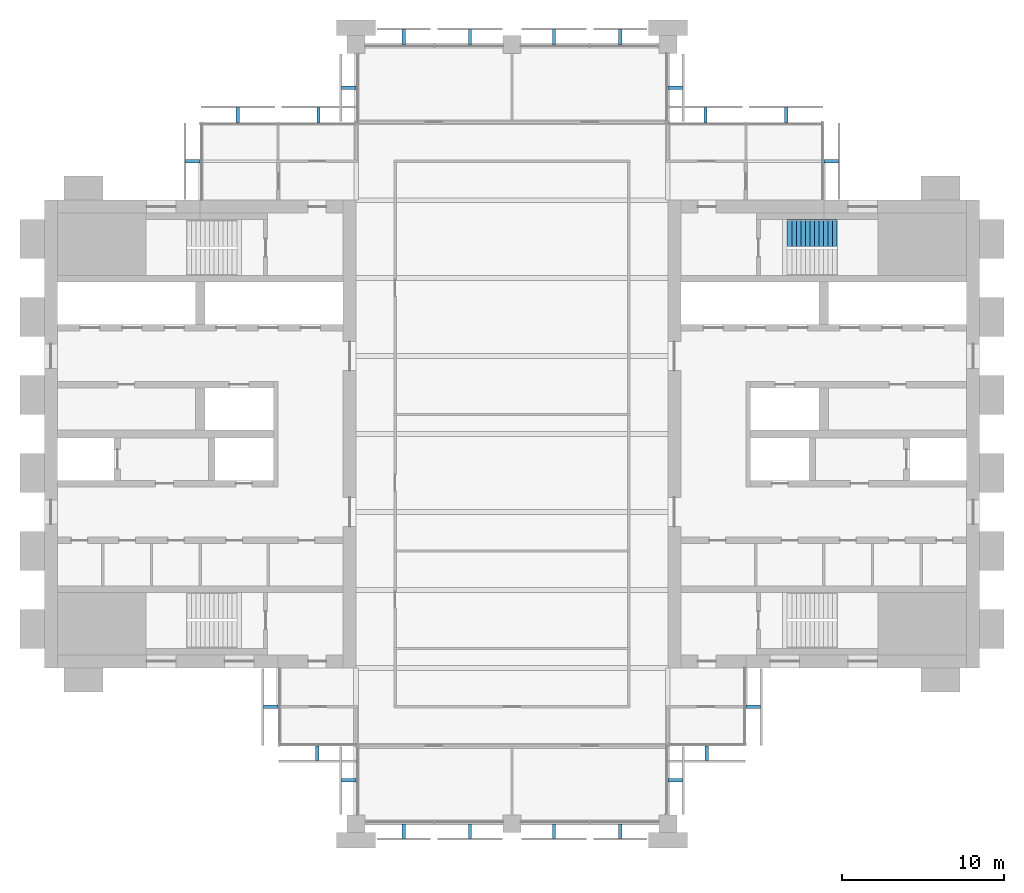
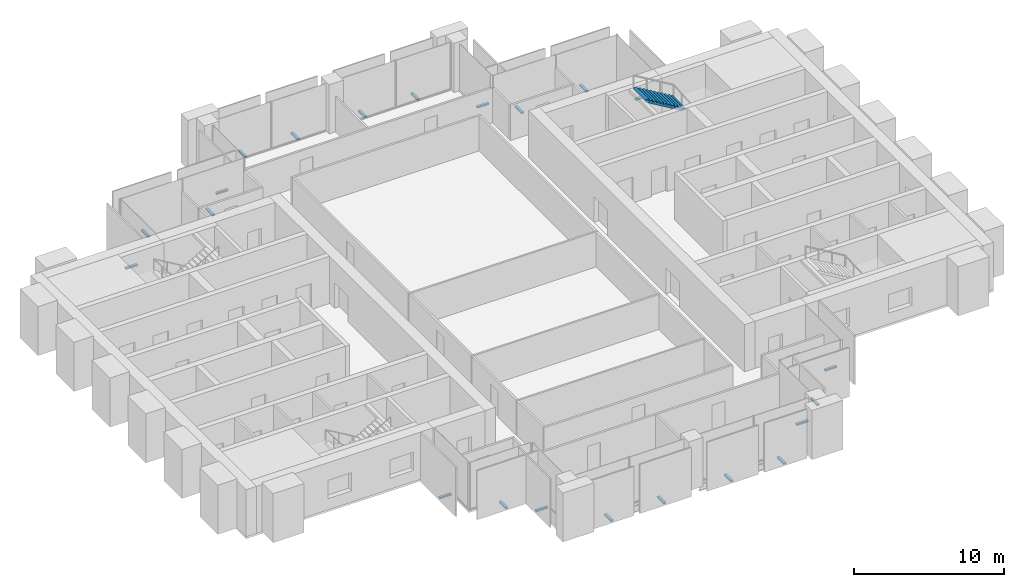
# One storey, part 12 of 13: 22 discrete accessories, 1 stair flight, 1 element without a shape of its own.
"""IFC4 building model written with IfcOpenShell, lengths in metres."""

import ifcopenshell
import ifcopenshell.guid

model = None  # the IFC model being written
_history = None  # IfcOwnerHistory: only IFC2X3 demands one
_inside = {}  # id of a spatial element -> (the spatial element, [elements in it])
_under = {}  # id of a project, library or spatial element -> (it, [spatial elements below it])
_declared = {}  # id of a project -> (the project, [libraries it declares])
_typed = {}  # id of a type object -> (the type object, [elements of that type])
_made_of = {}  # id of a material, layer set ... -> (it, [elements and type objects made of it])


def new_model(schema):
    """Start an empty IFC model of exactly this schema.

    Asked for "IFC4X3", IfcOpenShell would pick the latest addendum, in which some entities
    have other attributes; the version numbers below select the first issue.
    IFC2X3 requires an IfcOwnerHistory on every rooted entity: one is made here for all.
    """
    global model, _history
    if schema == "IFC4X3":
        model = ifcopenshell.file(schema_version=(4, 3, 0, 0))
    else:
        model = ifcopenshell.file(schema=schema)
    _inside.clear()
    _under.clear()
    _declared.clear()
    _typed.clear()
    _made_of.clear()
    _history = None
    if model.schema == "IFC2X3":
        org = make("IfcOrganization", Name="unknown")
        user = make(
            "IfcPersonAndOrganization",
            ThePerson=make("IfcPerson", FamilyName="unknown"),
            TheOrganization=org,
        )
        app = make(
            "IfcApplication",
            ApplicationDeveloper=org,
            Version="unknown",
            ApplicationFullName="unknown",
            ApplicationIdentifier="unknown",
        )
        _history = make(
            "IfcOwnerHistory",
            OwningUser=user,
            OwningApplication=app,
            ChangeAction="ADDED",
            CreationDate=0,
        )
    return model


def make(cls, **values):
    """One entity of the class cls with the attributes given. An attribute that is None is left unset."""
    return model.create_entity(
        cls, **{name: value for name, value in values.items() if value is not None}
    )


def rooted(cls, **values):
    """An entity with a GlobalId (a new one), such as an element, a storey or a relation."""
    return make(cls, GlobalId=ifcopenshell.guid.new(), OwnerHistory=_history, **values)


def si_unit(unit_type, name, prefix=None):
    """IfcSIUnit, for example si_unit("LENGTHUNIT", "METRE", prefix="MILLI")."""
    return make("IfcSIUnit", UnitType=unit_type, Prefix=prefix, Name=name)


def assignment(units):
    """IfcUnitAssignment: the units of a project."""
    return None if units is None else make("IfcUnitAssignment", Units=units)


def point(xyz):
    """IfcCartesianPoint."""
    return None if xyz is None else make("IfcCartesianPoint", Coordinates=xyz)


def direction(xyz):
    """IfcDirection."""
    return None if xyz is None else make("IfcDirection", DirectionRatios=xyz)


def frame(location, z_axis=None, x_axis=None):
    """IfcAxis2Placement3D, a coordinate frame: its origin and axes. An axis left out is left unset."""
    return make(
        "IfcAxis2Placement3D",
        Location=point(location),
        Axis=direction(z_axis),
        RefDirection=direction(x_axis),
    )


def frame_2d(location, x_axis=None):
    """IfcAxis2Placement2D, a coordinate frame in the plane: its origin and x axis."""
    return make(
        "IfcAxis2Placement2D", Location=point(location), RefDirection=direction(x_axis)
    )


def origin():
    """The frame at (0, 0, 0) with its axes left unset."""
    return frame((0.0, 0.0, 0.0))


def origin_2d():
    """The frame at (0, 0) in the plane with its x axis left unset."""
    return frame_2d((0.0, 0.0))


def place(relative_to, where):
    """IfcLocalPlacement: puts the frame where relative to a parent placement (None: the world)."""
    return make(
        "IfcLocalPlacement", PlacementRelTo=relative_to, RelativePlacement=where
    )


def context(
    kind, dimensions, precision=None, world=None, true_north=None, identifier=None
):
    """IfcGeometricRepresentationContext, for example the 3D "Model" context."""
    return make(
        "IfcGeometricRepresentationContext",
        ContextIdentifier=identifier,
        ContextType=kind,
        CoordinateSpaceDimension=dimensions,
        Precision=precision,
        WorldCoordinateSystem=world,
        TrueNorth=true_north,
    )


def subcontext(parent, identifier, kind, view, scale=None):
    """IfcGeometricRepresentationSubContext, for example "Body" below "Model"."""
    return make(
        "IfcGeometricRepresentationSubContext",
        ContextIdentifier=identifier,
        ContextType=kind,
        ParentContext=parent,
        TargetScale=scale,
        TargetView=view,
    )


def project(units=None, contexts=None):
    """IfcProject with its units and contexts."""
    return rooted(
        "IfcProject",
        Name="project",
        RepresentationContexts=contexts,
        UnitsInContext=assignment(units),
    )


def spatial(cls, under=None, at=None, **own):
    """A site, building, storey or space (cls), placed at a placement, below another one or the project."""
    s = rooted(cls, ObjectPlacement=at, **own)
    if under is not None:
        _under.setdefault(under.id(), (under, []))[1].append(s)
    return s


def polyline(points):
    """IfcPolyline through the points."""
    return make("IfcPolyline", Points=[point(p) for p in points])


def profile(cls, at=None, kind="AREA", **sizes):
    """A parametric profile (cls). Its sizes go by their IFC names, for example OverallWidth=200.0."""
    return make(cls, ProfileType=kind, Position=at, **sizes)


def rectangle(**sizes):
    """IfcRectangleProfileDef."""
    return profile("IfcRectangleProfileDef", **sizes)


def outline(outer, holes=None, kind="AREA"):
    """IfcArbitraryClosedProfileDef: a profile drawn as a closed curve; with holes, ...WithVoids."""
    if holes is None:
        return make("IfcArbitraryClosedProfileDef", ProfileType=kind, OuterCurve=outer)
    return make(
        "IfcArbitraryProfileDefWithVoids",
        ProfileType=kind,
        OuterCurve=outer,
        InnerCurves=holes,
    )


def extrude(swept, where, along, depth):
    """IfcExtrudedAreaSolid: the profile swept, set in the frame where, extruded along a direction by depth."""
    return make(
        "IfcExtrudedAreaSolid",
        SweptArea=swept,
        Position=where,
        ExtrudedDirection=direction(along),
        Depth=depth,
    )


def shape(context_of_items, identifier, shape_type, items):
    """IfcShapeRepresentation: the items that make up one representation, for example the "Body"."""
    return make(
        "IfcShapeRepresentation",
        ContextOfItems=context_of_items,
        RepresentationIdentifier=identifier,
        RepresentationType=shape_type,
        Items=items,
    )


def material(Name=None, Category=None):
    """IfcMaterial."""
    return make("IfcMaterial", Name=Name, Category=Category)


def made_of(thing, what):
    """Note that an element or type object is made of a material, layer set ...; save() writes the relation."""
    if what is not None:
        _made_of.setdefault(what.id(), (what, []))[1].append(thing)
    return thing


def type_object(cls, material=None, **own):
    """A type object (cls), such as IfcWallType, which elements share."""
    return made_of(rooted(cls, **own), material)


def element(
    cls,
    number,
    at=None,
    inside=None,
    cuts=None,
    type_object=None,
    material=None,
    context=None,
    identifier="Body",
    shape_type=None,
    held_by="IfcProductDefinitionShape",
    body=None,
    shapes=None,
    **own,
):
    """One element of the class cls, such as IfcWall. Its Tag is "e" and its number.

    at: its placement. inside: the storey or other place that contains it. cuts: it is an
    opening in that element (IfcRelVoidsElement). A single representation is given by context,
    identifier, shape_type and body (its items); several are given by shapes. held_by: the class
    of the entity that holds the representations. save() writes the other relations.
    """
    e = rooted(cls, Tag="e%d" % number, ObjectPlacement=at, **own)
    if body is not None:
        shapes = [shape(context, identifier, shape_type, body)]
    if shapes is not None:
        e.Representation = make(held_by, Representations=shapes)
    if inside is not None:
        _inside.setdefault(inside.id(), (inside, []))[1].append(e)
    if cuts is not None:
        rooted(
            "IfcRelVoidsElement", RelatingBuildingElement=cuts, RelatedOpeningElement=e
        )
    if type_object is not None:
        _typed.setdefault(type_object.id(), (type_object, []))[1].append(e)
    return made_of(e, material)


def aggregate(whole, parts):
    """IfcRelAggregates: a whole, such as a stair, and the parts it consists of."""
    return rooted("IfcRelAggregates", RelatingObject=whole, RelatedObjects=parts)


def save(model, path):
    """Write the relations noted so far, then the file.

    IfcRelAggregates (storeys below a building ...), IfcRelContainedInSpatialStructure (elements
    in a storey), IfcRelDefinesByType, IfcRelAssociatesMaterial and IfcRelDeclares: one each for
    every whole, place, type object, material and project.
    """
    for whole, parts in _under.values():
        aggregate(whole, parts)
    for where, things in _inside.values():
        rooted(
            "IfcRelContainedInSpatialStructure",
            RelatedElements=things,
            RelatingStructure=where,
        )
    for kind, things in _typed.values():
        rooted("IfcRelDefinesByType", RelatedObjects=things, RelatingType=kind)
    for what, things in _made_of.values():
        rooted("IfcRelAssociatesMaterial", RelatedObjects=things, RelatingMaterial=what)
    for by, libraries in _declared.values():
        rooted("IfcRelDeclares", RelatingContext=by, RelatedDefinitions=libraries)
    model.write(path)


model = new_model("IFC4")

# Units and contexts
model_context = context("Model", 3, precision=1e-05, world=origin(), true_north=direction((0.0, 1.0)))
body_context = subcontext(model_context, "Body", "Model", "MODEL_VIEW")
ifc_project = project(units=[si_unit("LENGTHUNIT", "METRE"), si_unit("AREAUNIT", "SQUARE_METRE"), si_unit("VOLUMEUNIT", "CUBIC_METRE"), si_unit("PLANEANGLEUNIT", "RADIAN"), si_unit("MASSUNIT", "GRAM", prefix="KILO")], contexts=[model_context])

# Site, building, storey
site_placement = place(None, origin())
site = spatial("IfcSite", under=ifc_project, at=site_placement, CompositionType="ELEMENT")
building_placement = place(site_placement, origin())
building = spatial("IfcBuilding", under=site, at=building_placement, Name="Baori Bourse Tower", CompositionType="ELEMENT")
storey_placement = place(building_placement, frame((0.0, 0.0, 253.199951171875)))
storey = spatial("IfcBuildingStorey", under=building, at=storey_placement, Name="L56", CompositionType="ELEMENT", Elevation=253.199951171875)

# Stair, stair flight
ifc_material_1 = material(Name="Concrete f'c 50 MPa", Category="concrete")
stair_type = type_object("IfcStairType", Name="Core stair", PredefinedType="HALF_TURN_STAIR", material=ifc_material_1)
stair_placement = place(storey_placement, origin())
stair = element("IfcStair", 1, at=stair_placement, inside=storey, type_object=stair_type, Name="L56 Stair EB", PredefinedType="HALF_TURN_STAIR")
ifc_material_2 = material(Name="Concrete f'c 50 MPa", Category="concrete")
stair_flight_type = type_object("IfcStairFlightType", Name="Core stair flight", PredefinedType="STRAIGHT", material=ifc_material_2)
stair_flight_placement = place(storey_placement, frame((48.830078125, 36.375, 2.0), z_axis=(0.0, 0.0, 1.0), x_axis=(-1.0, 0.0, 0.0)))
stair_flight = element("IfcStairFlight", 2, at=stair_flight_placement, type_object=stair_flight_type, Name="ST4 flight 2", NumberOfRisers=12, NumberOfTreads=11, PredefinedType="STRAIGHT", RiserHeight=0.166666667, TreadLength=0.28, context=body_context, shape_type="SweptSolid", body=[
    extrude(outline(polyline([(0.0, 0.0), (0.0, 0.166748046875), (0.280029296875, 0.166748046875), (0.280029296875, 0.333251953125), (0.56005859375, 0.333251953125), (0.56005859375, 0.5), (0.840087890625, 0.5), (0.840087890625, 0.666748046875), (1.1201171875, 0.666748046875), (1.1201171875, 0.833251953125), (1.39990234375, 0.833251953125), (1.39990234375, 1.0), (1.679931640625, 1.0), (1.679931640625, 1.166748046875), (1.9599609375, 1.166748046875), (1.9599609375, 1.333251953125), (2.239990234375, 1.333251953125), (2.239990234375, 1.5), (2.52001953125, 1.5), (2.52001953125, 1.666748046875), (2.800048828125, 1.666748046875), (2.800048828125, 1.833251953125), (3.080078125, 1.833251953125), (3.080078125, 2.0), (3.080078125, 1.658935546875), (0.29296875, 0.0), (0.0, 0.0)])), frame((0.0, 0.824951171875, 0.0), z_axis=(0.0, -1.0, 0.0), x_axis=(1.0, 0.0, 0.0)), (0.0, 0.0, 1.0), 1.64990234375),
])
aggregate(stair, [stair_flight])

# Discrete accessories
ifc_material_3 = material(Name="Pale anodised aluminium", Category="aluminium")
discrete_accessory_type = type_object("IfcDiscreteAccessoryType", Name="OS2 Outer skin bracket", PredefinedType="BRACKET", material=ifc_material_3)
for number, where, z_axis, x_axis, name in (
    (3, (48.449951171875, 40.800048828125, -0.143798828125), (0.0, 0.0, 1.0), (0.0, 1.0, 0.0), "Outer skin bracket L56 1"),
    (4, (45.6875, 43.64990234375, -0.143798828125), (0.0, 0.0, 1.0), (-1.0, 0.0, 0.0), "Outer skin bracket L56 2"),
    (5, (40.71240234375, 43.64990234375, -0.143798828125), (0.0, 0.0, 1.0), (-1.0, 0.0, 0.0), "Outer skin bracket L56 3"),
    (6, (38.85009765625, 45.324951171875, -0.143798828125), (0.0, 0.0, 1.0), (0.0, 1.0, 0.0), "Outer skin bracket L56 4"),
    (7, (35.46240234375, 48.449951171875, -0.143798828125), (0.0, 0.0, 1.0), (-1.0, 0.0, 0.0), "Outer skin bracket L56 5"),
    (8, (31.387451171875, 48.449951171875, -0.143798828125), (0.0, 0.0, 1.0), (-1.0, 0.0, 0.0), "Outer skin bracket L56 6"),
    (9, (26.21240234375, 48.449951171875, -0.143798828125), (0.0, 0.0, 1.0), (-1.0, 0.0, 0.0), "Outer skin bracket L56 7"),
    (10, (22.137451171875, 48.449951171875, -0.143798828125), (0.0, 0.0, 1.0), (-1.0, 0.0, 0.0), "Outer skin bracket L56 8"),
    (11, (18.75, 45.324951171875, -0.143798828125), (0.0, 0.0, 1.0), (0.0, -1.0, 0.0), "Outer skin bracket L56 9"),
    (12, (16.887451171875, 43.64990234375, -0.143798828125), (0.0, 0.0, 1.0), (-1.0, 0.0, 0.0), "Outer skin bracket L56 10"),
    (13, (11.91259765625, 43.64990234375, -0.143798828125), (0.0, 0.0, 1.0), (-1.0, 0.0, 0.0), "Outer skin bracket L56 11"),
    (14, (9.14990234375, 40.800048828125, -0.143798828125), (0.0, 0.0, 1.0), (0.0, -1.0, 0.0), "Outer skin bracket L56 12"),
    (15, (13.949951171875, 7.199951171875, -0.143798828125), (0.0, 0.0, 1.0), (0.0, -1.0, 0.0), "Outer skin bracket L56 13"),
    (16, (16.800048828125, 4.35009765625, -0.143798828125), (0.0, 0.0, 1.0), (1.0, 0.0, 0.0), "Outer skin bracket L56 14"),
    (17, (18.75, 2.675048828125, -0.143798828125), (0.0, 0.0, 1.0), (0.0, -1.0, 0.0), "Outer skin bracket L56 15"),
    (18, (22.137451171875, -0.449951171875, -0.143798828125), (0.0, 0.0, 1.0), (1.0, 0.0, 0.0), "Outer skin bracket L56 16"),
    (19, (26.21240234375, -0.449951171875, -0.143798828125), (0.0, 0.0, 1.0), (1.0, 0.0, 0.0), "Outer skin bracket L56 17"),
    (20, (31.387451171875, -0.449951171875, -0.143798828125), (0.0, 0.0, 1.0), (1.0, 0.0, 0.0), "Outer skin bracket L56 18"),
    (21, (35.46240234375, -0.449951171875, -0.143798828125), (0.0, 0.0, 1.0), (1.0, 0.0, 0.0), "Outer skin bracket L56 19"),
    (22, (38.85009765625, 2.675048828125, -0.143798828125), (0.0, 0.0, 1.0), (0.0, 1.0, 0.0), "Outer skin bracket L56 20"),
    (23, (40.800048828125, 4.35009765625, -0.143798828125), (0.0, 0.0, 1.0), (1.0, 0.0, 0.0), "Outer skin bracket L56 21"),
    (24, (43.64990234375, 7.199951171875, -0.143798828125), (0.0, 0.0, 1.0), (0.0, 1.0, 0.0), "Outer skin bracket L56 22"),
):
    element("IfcDiscreteAccessory", number, at=place(storey_placement, frame(where, z_axis=z_axis, x_axis=x_axis)), inside=storey, type_object=discrete_accessory_type, Name=name, PredefinedType="BRACKET", context=body_context, shape_type="SweptSolid", body=[
        extrude(rectangle(XDim=0.199951171875, YDim=0.89990234375, at=origin_2d()), origin(), (0.0, 0.0, 1.0), 0.1279296875),
    ])

save(model, "model.ifc")
